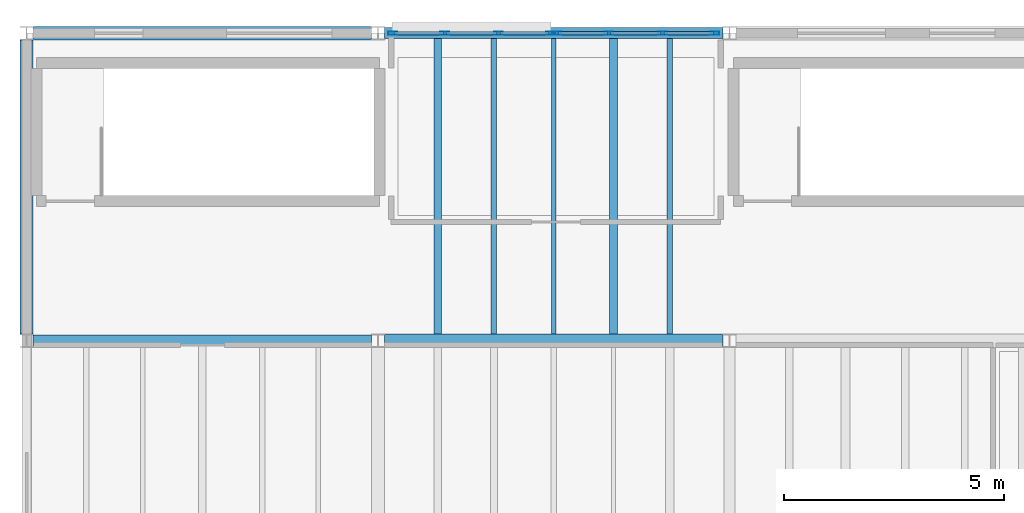
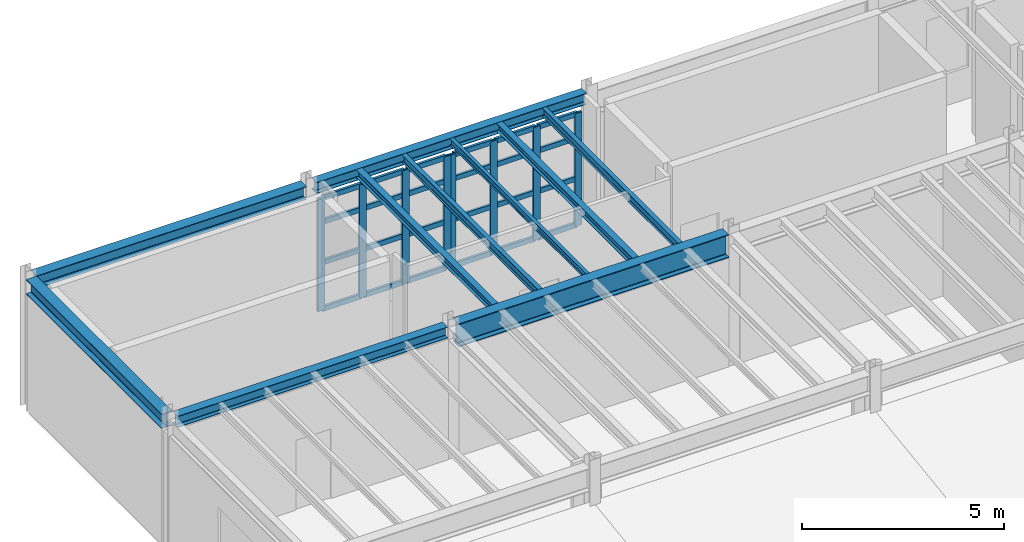
# One storey, part 13 of 77: 32 members, 10 beams, 2 elements without a shape of their own.
"""IFC4 building model written with IfcOpenShell, lengths in metres."""

from ifc_helpers import new_model, si_unit, direction, frame, origin, origin_2d, place, context, subcontext, project, spatial, hollow_rectangle, i_section, extrude, material, material_profile, profile_set, type_object, element, aggregate, save


model = new_model("IFC4")

# Units and contexts
model_context = context("Model", 3, precision=1e-05, world=origin(), true_north=direction((0.0, 1.0)))
body_context = subcontext(model_context, "Body", "Model", "MODEL_VIEW")
ifc_project = project(units=[si_unit("LENGTHUNIT", "METRE"), si_unit("AREAUNIT", "SQUARE_METRE"), si_unit("VOLUMEUNIT", "CUBIC_METRE"), si_unit("PLANEANGLEUNIT", "RADIAN"), si_unit("MASSUNIT", "GRAM", prefix="KILO"), si_unit("THERMODYNAMICTEMPERATUREUNIT", "KELVIN"), si_unit("POWERUNIT", "WATT")], contexts=[model_context])

# Site, building, storey
site_placement = place(None, origin())
site = spatial("IfcSite", under=ifc_project, at=site_placement, CompositionType="ELEMENT")
building_placement = place(site_placement, origin())
building = spatial("IfcBuilding", under=site, at=building_placement, Name="Zhenchuan Central Fire Station", CompositionType="ELEMENT")
storey_placement = place(building_placement, frame((0.0, 0.0, 10.050048828125)))
storey = spatial("IfcBuildingStorey", under=building, at=storey_placement, Name="L03", CompositionType="ELEMENT", Elevation=10.050048828125)

# Beams
ifc_material_1 = material(Name="Steel Q355B", Category="steel")
ifc_material_profile_1 = material_profile(ifc_material_1, i_section(OverallWidth=0.25, OverallDepth=0.340087890625, WebThickness=0.009033203125, FlangeThickness=0.013916015625, FilletRadius=0.01806640625, at=origin_2d()), Name="HM 340x250")
ifc_profile_set_1 = profile_set([ifc_material_profile_1], Name="Steel Q355B")
beam_type_1 = type_object("IfcBeamType", Name="BM-HM340", PredefinedType="BEAM", material=ifc_profile_set_1)
beam_1_placement = place(storey_placement, frame((0.14990234375, 49.5, 3.81005859375), z_axis=(1.0, 0.0, 0.0), x_axis=(0.0, 1.0, 0.0)))
element("IfcBeam", 1, at=beam_1_placement, inside=storey, type_object=beam_type_1, Name="L04 Girder EW 0372", PredefinedType="BEAM", context=body_context, shape_type="SweptSolid", body=[
    extrude(i_section(OverallWidth=0.25, OverallDepth=0.340087890625, WebThickness=0.009033203125, FlangeThickness=0.013916015625, FilletRadius=0.01806640625, at=origin_2d()), origin(), (0.0, 0.0, 1.0), 7.7001953125),
])
ifc_material_profile_2 = material_profile(ifc_material_1, i_section(OverallWidth=0.25, OverallDepth=0.340087890625, WebThickness=0.009033203125, FlangeThickness=0.013916015625, FilletRadius=0.01806640625, at=origin_2d()), Name="HM 340x250")
ifc_profile_set_2 = profile_set([ifc_material_profile_2], Name="Steel Q355B")
beam_type_2 = type_object("IfcBeamType", Name="BM-HM340-EXT", PredefinedType="BEAM", material=ifc_profile_set_2)
beam_2_placement = place(storey_placement, frame((8.14990234375, 56.5, 3.81005859375), z_axis=(1.0, 0.0, 0.0), x_axis=(0.0, 1.0, 0.0)))
element("IfcBeam", 2, at=beam_2_placement, inside=storey, type_object=beam_type_2, Name="L04 Girder EW 0383", PredefinedType="BEAM", context=body_context, shape_type="SweptSolid", body=[
    extrude(i_section(OverallWidth=0.25, OverallDepth=0.340087890625, WebThickness=0.009033203125, FlangeThickness=0.013916015625, FilletRadius=0.01806640625, at=origin_2d()), origin(), (0.0, 0.0, 1.0), 7.7001953125),
])
ifc_material_profile_3 = material_profile(ifc_material_1, i_section(OverallWidth=0.300048828125, OverallDepth=0.389892578125, WebThickness=0.010009765625, FlangeThickness=0.01611328125, FilletRadius=0.02001953125, at=origin_2d()), Name="HM 390x300")
ifc_profile_set_3 = profile_set([ifc_material_profile_3], Name="Steel Q355B")
beam_type_3 = type_object("IfcBeamType", Name="BM-HM390", PredefinedType="BEAM", material=ifc_profile_set_3)
beam_3_placement = place(storey_placement, frame((0.14990234375, 56.5, 3.784912109375), z_axis=(1.0, 0.0, 0.0), x_axis=(0.0, 1.0, 0.0)))
element("IfcBeam", 3, at=beam_3_placement, inside=storey, type_object=beam_type_3, Name="L04 Girder EW 0382", PredefinedType="BEAM", context=body_context, shape_type="SweptSolid", body=[
    extrude(i_section(OverallWidth=0.300048828125, OverallDepth=0.389892578125, WebThickness=0.010009765625, FlangeThickness=0.01611328125, FilletRadius=0.02001953125, at=origin_2d()), origin(), (0.0, 0.0, 1.0), 7.7001953125),
])
ifc_material_profile_4 = material_profile(ifc_material_1, i_section(OverallWidth=0.300048828125, OverallDepth=0.43994140625, WebThickness=0.010986328125, FlangeThickness=0.01806640625, FilletRadius=0.02197265625, at=origin_2d()), Name="HM 440x300")
ifc_profile_set_4 = profile_set([ifc_material_profile_4], Name="Steel Q355B")
beam_type_4 = type_object("IfcBeamType", Name="BM-HM440", PredefinedType="BEAM", material=ifc_profile_set_4)
beam_4_placement = place(storey_placement, frame((0.0, 49.64990234375, 3.760009765625), z_axis=(0.0, 1.0, 0.0), x_axis=(-1.0, 0.0, 0.0)))
element("IfcBeam", 4, at=beam_4_placement, inside=storey, type_object=beam_type_4, Name="L04 Girder NS 0392", PredefinedType="BEAM", context=body_context, shape_type="SweptSolid", body=[
    extrude(i_section(OverallWidth=0.300048828125, OverallDepth=0.43994140625, WebThickness=0.010986328125, FlangeThickness=0.01806640625, FilletRadius=0.02197265625, at=origin_2d()), origin(), (0.0, 0.0, 1.0), 6.7001953125),
])
ifc_material_profile_5 = material_profile(ifc_material_1, i_section(OverallWidth=0.300048828125, OverallDepth=0.699951171875, WebThickness=0.012939453125, FlangeThickness=0.02392578125, FilletRadius=0.02392578125, at=origin_2d()), Name="HN 700x300")
ifc_profile_set_5 = profile_set([ifc_material_profile_5], Name="Steel Q355B")
beam_type_5 = type_object("IfcBeamType", Name="BM-HN700", PredefinedType="BEAM", material=ifc_profile_set_5)
beam_5_placement = place(storey_placement, frame((8.14990234375, 49.5, 3.6298828125), z_axis=(1.0, 0.0, 0.0), x_axis=(0.0, 1.0, 0.0)))
element("IfcBeam", 5, at=beam_5_placement, inside=storey, type_object=beam_type_5, Name="L04 Girder EW 0373", PredefinedType="BEAM", context=body_context, shape_type="SweptSolid", body=[
    extrude(i_section(OverallWidth=0.300048828125, OverallDepth=0.699951171875, WebThickness=0.012939453125, FlangeThickness=0.02392578125, FilletRadius=0.02392578125, at=origin_2d()), origin(), (0.0, 0.0, 1.0), 7.7001953125),
])

# Curtain wall, members
ifc_material_2 = material(Name="Anodised aluminium and low-E glazing", Category="aluminium")
curtain_wall_type_1 = type_object("IfcCurtainWallType", Name="CW-MOD-08", PredefinedType="USERDEFINED", material=ifc_material_2)
curtain_wall_1_placement = place(storey_placement, origin())
curtain_wall_1 = element("IfcCurtainWall", 6, at=curtain_wall_1_placement, inside=storey, type_object=curtain_wall_type_1, Name="L03 Unitised Curtain Wall 066", ObjectType="UNITISED GLAZING", PredefinedType="USERDEFINED")
ifc_material_3 = material(Name="Anodised aluminium EN AW-6063", Category="aluminium")
ifc_material_profile_6 = material_profile(ifc_material_3, hollow_rectangle(XDim=0.074951171875, YDim=0.199951171875, WallThickness=0.0048828125, at=origin_2d()), Name="ALU-M 200x75")
ifc_profile_set_6 = profile_set([ifc_material_profile_6], Name="Anodised aluminium EN AW-6063")
member_type_1 = type_object("IfcMemberType", Name="CW-MUL160", PredefinedType="MULLION", material=ifc_profile_set_6)
member_1_placement = place(storey_placement, frame((8.33251953125, 56.5, -0.004150390625), z_axis=(0.0, 0.0, 1.0), x_axis=(0.0, 1.0, 0.0)))
member_1 = element("IfcMember", 7, at=member_1_placement, type_object=member_type_1, Name="CW-08 mullion 1", PredefinedType="MULLION", context=body_context, shape_type="SweptSolid", body=[
    extrude(hollow_rectangle(XDim=0.074951171875, YDim=0.199951171875, WallThickness=0.0048828125, at=origin_2d()), origin(), (0.0, 0.0, 1.0), 3.404052734375),
])
member_2_placement = place(storey_placement, frame((9.520751953125, 56.5, -0.004150390625), z_axis=(0.0, 0.0, 1.0), x_axis=(0.0, 1.0, 0.0)))
member_2 = element("IfcMember", 8, at=member_2_placement, type_object=member_type_1, Name="CW-08 mullion 2", PredefinedType="MULLION", context=body_context, shape_type="SweptSolid", body=[
    extrude(hollow_rectangle(XDim=0.074951171875, YDim=0.199951171875, WallThickness=0.0048828125, at=origin_2d()), origin(), (0.0, 0.0, 1.0), 3.404052734375),
])
member_3_placement = place(storey_placement, frame((10.741455078125, 56.5, -0.004150390625), z_axis=(0.0, 0.0, 1.0), x_axis=(0.0, 1.0, 0.0)))
member_3 = element("IfcMember", 9, at=member_3_placement, type_object=member_type_1, Name="CW-08 mullion 3", PredefinedType="MULLION", context=body_context, shape_type="SweptSolid", body=[
    extrude(hollow_rectangle(XDim=0.074951171875, YDim=0.199951171875, WallThickness=0.0048828125, at=origin_2d()), origin(), (0.0, 0.0, 1.0), 3.404052734375),
])
member_4_placement = place(storey_placement, frame((11.929443359375, 56.5, -0.004150390625), z_axis=(0.0, 0.0, 1.0), x_axis=(0.0, 1.0, 0.0)))
member_4 = element("IfcMember", 10, at=member_4_placement, type_object=member_type_1, Name="CW-08 mullion 4", PredefinedType="MULLION", context=body_context, shape_type="SweptSolid", body=[
    extrude(hollow_rectangle(XDim=0.074951171875, YDim=0.199951171875, WallThickness=0.0048828125, at=origin_2d()), origin(), (0.0, 0.0, 1.0), 3.404052734375),
])

curtain_wall_type_2 = type_object("IfcCurtainWallType", Name="CW-MOD-09", PredefinedType="USERDEFINED", material=ifc_material_2)
curtain_wall_2_placement = place(storey_placement, origin())
curtain_wall_2 = element("IfcCurtainWall", 11, at=curtain_wall_2_placement, inside=storey, type_object=curtain_wall_type_2, Name="L03 Unitised Curtain Wall 067", ObjectType="UNITISED GLAZING", PredefinedType="USERDEFINED")
member_5_placement = place(storey_placement, frame((12.070556640625, 56.5, -0.004150390625), z_axis=(0.0, 0.0, 1.0), x_axis=(0.0, 1.0, 0.0)))
member_5 = element("IfcMember", 12, at=member_5_placement, type_object=member_type_1, Name="CW-09 mullion 1", PredefinedType="MULLION", context=body_context, shape_type="SweptSolid", body=[
    extrude(hollow_rectangle(XDim=0.074951171875, YDim=0.199951171875, WallThickness=0.0048828125, at=origin_2d()), origin(), (0.0, 0.0, 1.0), 3.404052734375),
])
member_6_placement = place(storey_placement, frame((13.258544921875, 56.5, -0.004150390625), z_axis=(0.0, 0.0, 1.0), x_axis=(0.0, 1.0, 0.0)))
member_6 = element("IfcMember", 13, at=member_6_placement, type_object=member_type_1, Name="CW-09 mullion 2", PredefinedType="MULLION", context=body_context, shape_type="SweptSolid", body=[
    extrude(hollow_rectangle(XDim=0.074951171875, YDim=0.199951171875, WallThickness=0.0048828125, at=origin_2d()), origin(), (0.0, 0.0, 1.0), 3.404052734375),
])
member_7_placement = place(storey_placement, frame((14.479248046875, 56.5, -0.004150390625), z_axis=(0.0, 0.0, 1.0), x_axis=(0.0, 1.0, 0.0)))
member_7 = element("IfcMember", 14, at=member_7_placement, type_object=member_type_1, Name="CW-09 mullion 3", PredefinedType="MULLION", context=body_context, shape_type="SweptSolid", body=[
    extrude(hollow_rectangle(XDim=0.074951171875, YDim=0.199951171875, WallThickness=0.0048828125, at=origin_2d()), origin(), (0.0, 0.0, 1.0), 3.404052734375),
])
member_8_placement = place(storey_placement, frame((15.66748046875, 56.5, -0.004150390625), z_axis=(0.0, 0.0, 1.0), x_axis=(0.0, 1.0, 0.0)))
member_8 = element("IfcMember", 15, at=member_8_placement, type_object=member_type_1, Name="CW-09 mullion 4", PredefinedType="MULLION", context=body_context, shape_type="SweptSolid", body=[
    extrude(hollow_rectangle(XDim=0.074951171875, YDim=0.199951171875, WallThickness=0.0048828125, at=origin_2d()), origin(), (0.0, 0.0, 1.0), 3.404052734375),
])

# Member
ifc_material_profile_7 = material_profile(ifc_material_3, hollow_rectangle(XDim=0.074951171875, YDim=0.14990234375, WallThickness=0.0048828125, at=origin_2d()), Name="ALU-T 150x75")
ifc_profile_set_7 = profile_set([ifc_material_profile_7], Name="Anodised aluminium EN AW-6063")
member_type_2 = type_object("IfcMemberType", Name="CW-TRN130", PredefinedType="NOTDEFINED", material=ifc_profile_set_7)
member_9_placement = place(storey_placement, frame((8.364990234375, 56.5, 0.028564453125), z_axis=(1.0, 0.0, 0.0), x_axis=(0.0, 1.0, 0.0)))
member_9 = element("IfcMember", 16, at=member_9_placement, type_object=member_type_2, Name="CW-08 transom 1.1", ObjectType="TRANSOM", PredefinedType="USERDEFINED", context=body_context, shape_type="SweptSolid", body=[
    extrude(hollow_rectangle(XDim=0.074951171875, YDim=0.14990234375, WallThickness=0.0048828125, at=origin_2d()), origin(), (0.0, 0.0, 1.0), 1.123291015625),
])

member_10_placement = place(storey_placement, frame((8.364990234375, 56.5, 1.427978515625), z_axis=(1.0, 0.0, 0.0), x_axis=(0.0, 1.0, 0.0)))
member_10 = element("IfcMember", 17, at=member_10_placement, type_object=member_type_2, Name="CW-08 transom 1.2", ObjectType="TRANSOM", PredefinedType="USERDEFINED", context=body_context, shape_type="SweptSolid", body=[
    extrude(hollow_rectangle(XDim=0.074951171875, YDim=0.14990234375, WallThickness=0.0048828125, at=origin_2d()), origin(), (0.0, 0.0, 1.0), 1.123291015625),
])

member_11_placement = place(storey_placement, frame((8.364990234375, 56.5, 2.65185546875), z_axis=(1.0, 0.0, 0.0), x_axis=(0.0, 1.0, 0.0)))
member_11 = element("IfcMember", 18, at=member_11_placement, type_object=member_type_2, Name="CW-08 transom 1.3", ObjectType="TRANSOM", PredefinedType="USERDEFINED", context=body_context, shape_type="SweptSolid", body=[
    extrude(hollow_rectangle(XDim=0.074951171875, YDim=0.14990234375, WallThickness=0.0048828125, at=origin_2d()), origin(), (0.0, 0.0, 1.0), 1.123291015625),
])

member_12_placement = place(storey_placement, frame((8.364990234375, 56.5, 3.367431640625), z_axis=(1.0, 0.0, 0.0), x_axis=(0.0, 1.0, 0.0)))
member_12 = element("IfcMember", 19, at=member_12_placement, type_object=member_type_2, Name="CW-08 transom 1.4", ObjectType="TRANSOM", PredefinedType="USERDEFINED", context=body_context, shape_type="SweptSolid", body=[
    extrude(hollow_rectangle(XDim=0.074951171875, YDim=0.14990234375, WallThickness=0.0048828125, at=origin_2d()), origin(), (0.0, 0.0, 1.0), 1.123291015625),
])

member_13_placement = place(storey_placement, frame((9.55322265625, 56.5, 0.028564453125), z_axis=(1.0, 0.0, 0.0), x_axis=(0.0, 1.0, 0.0)))
member_13 = element("IfcMember", 20, at=member_13_placement, type_object=member_type_2, Name="CW-08 transom 2.1", ObjectType="TRANSOM", PredefinedType="USERDEFINED", context=body_context, shape_type="SweptSolid", body=[
    extrude(hollow_rectangle(XDim=0.074951171875, YDim=0.14990234375, WallThickness=0.0048828125, at=origin_2d()), origin(), (0.0, 0.0, 1.0), 1.155517578125),
])

member_14_placement = place(storey_placement, frame((9.55322265625, 56.5, 1.427978515625), z_axis=(1.0, 0.0, 0.0), x_axis=(0.0, 1.0, 0.0)))
member_14 = element("IfcMember", 21, at=member_14_placement, type_object=member_type_2, Name="CW-08 transom 2.2", ObjectType="TRANSOM", PredefinedType="USERDEFINED", context=body_context, shape_type="SweptSolid", body=[
    extrude(hollow_rectangle(XDim=0.074951171875, YDim=0.14990234375, WallThickness=0.0048828125, at=origin_2d()), origin(), (0.0, 0.0, 1.0), 1.155517578125),
])

member_15_placement = place(storey_placement, frame((9.55322265625, 56.5, 2.65185546875), z_axis=(1.0, 0.0, 0.0), x_axis=(0.0, 1.0, 0.0)))
member_15 = element("IfcMember", 22, at=member_15_placement, type_object=member_type_2, Name="CW-08 transom 2.3", ObjectType="TRANSOM", PredefinedType="USERDEFINED", context=body_context, shape_type="SweptSolid", body=[
    extrude(hollow_rectangle(XDim=0.074951171875, YDim=0.14990234375, WallThickness=0.0048828125, at=origin_2d()), origin(), (0.0, 0.0, 1.0), 1.155517578125),
])

member_16_placement = place(storey_placement, frame((9.55322265625, 56.5, 3.367431640625), z_axis=(1.0, 0.0, 0.0), x_axis=(0.0, 1.0, 0.0)))
member_16 = element("IfcMember", 23, at=member_16_placement, type_object=member_type_2, Name="CW-08 transom 2.4", ObjectType="TRANSOM", PredefinedType="USERDEFINED", context=body_context, shape_type="SweptSolid", body=[
    extrude(hollow_rectangle(XDim=0.074951171875, YDim=0.14990234375, WallThickness=0.0048828125, at=origin_2d()), origin(), (0.0, 0.0, 1.0), 1.155517578125),
])

member_17_placement = place(storey_placement, frame((10.77392578125, 56.5, 0.028564453125), z_axis=(1.0, 0.0, 0.0), x_axis=(0.0, 1.0, 0.0)))
member_17 = element("IfcMember", 24, at=member_17_placement, type_object=member_type_2, Name="CW-08 transom 3.1", ObjectType="TRANSOM", PredefinedType="USERDEFINED", context=body_context, shape_type="SweptSolid", body=[
    extrude(hollow_rectangle(XDim=0.074951171875, YDim=0.14990234375, WallThickness=0.0048828125, at=origin_2d()), origin(), (0.0, 0.0, 1.0), 1.123046875),
])

member_18_placement = place(storey_placement, frame((10.77392578125, 56.5, 1.427978515625), z_axis=(1.0, 0.0, 0.0), x_axis=(0.0, 1.0, 0.0)))
member_18 = element("IfcMember", 25, at=member_18_placement, type_object=member_type_2, Name="CW-08 transom 3.2", ObjectType="TRANSOM", PredefinedType="USERDEFINED", context=body_context, shape_type="SweptSolid", body=[
    extrude(hollow_rectangle(XDim=0.074951171875, YDim=0.14990234375, WallThickness=0.0048828125, at=origin_2d()), origin(), (0.0, 0.0, 1.0), 1.123046875),
])

member_19_placement = place(storey_placement, frame((10.77392578125, 56.5, 2.65185546875), z_axis=(1.0, 0.0, 0.0), x_axis=(0.0, 1.0, 0.0)))
member_19 = element("IfcMember", 26, at=member_19_placement, type_object=member_type_2, Name="CW-08 transom 3.3", ObjectType="TRANSOM", PredefinedType="USERDEFINED", context=body_context, shape_type="SweptSolid", body=[
    extrude(hollow_rectangle(XDim=0.074951171875, YDim=0.14990234375, WallThickness=0.0048828125, at=origin_2d()), origin(), (0.0, 0.0, 1.0), 1.123046875),
])

member_20_placement = place(storey_placement, frame((10.77392578125, 56.5, 3.367431640625), z_axis=(1.0, 0.0, 0.0), x_axis=(0.0, 1.0, 0.0)))
member_20 = element("IfcMember", 27, at=member_20_placement, type_object=member_type_2, Name="CW-08 transom 3.4", ObjectType="TRANSOM", PredefinedType="USERDEFINED", context=body_context, shape_type="SweptSolid", body=[
    extrude(hollow_rectangle(XDim=0.074951171875, YDim=0.14990234375, WallThickness=0.0048828125, at=origin_2d()), origin(), (0.0, 0.0, 1.0), 1.123046875),
])

aggregate(curtain_wall_1, [member_1, member_2, member_3, member_4, member_9, member_10, member_11, member_12, member_13, member_14, member_15, member_16, member_17, member_18, member_19, member_20])

member_21_placement = place(storey_placement, frame((12.10302734375, 56.5, 0.028564453125), z_axis=(1.0, 0.0, 0.0), x_axis=(0.0, 1.0, 0.0)))
member_21 = element("IfcMember", 28, at=member_21_placement, type_object=member_type_2, Name="CW-09 transom 1.1", ObjectType="TRANSOM", PredefinedType="USERDEFINED", context=body_context, shape_type="SweptSolid", body=[
    extrude(hollow_rectangle(XDim=0.074951171875, YDim=0.14990234375, WallThickness=0.0048828125, at=origin_2d()), origin(), (0.0, 0.0, 1.0), 1.123046875),
])

member_22_placement = place(storey_placement, frame((12.10302734375, 56.5, 1.427978515625), z_axis=(1.0, 0.0, 0.0), x_axis=(0.0, 1.0, 0.0)))
member_22 = element("IfcMember", 29, at=member_22_placement, type_object=member_type_2, Name="CW-09 transom 1.2", ObjectType="TRANSOM", PredefinedType="USERDEFINED", context=body_context, shape_type="SweptSolid", body=[
    extrude(hollow_rectangle(XDim=0.074951171875, YDim=0.14990234375, WallThickness=0.0048828125, at=origin_2d()), origin(), (0.0, 0.0, 1.0), 1.123046875),
])

member_23_placement = place(storey_placement, frame((12.10302734375, 56.5, 2.65185546875), z_axis=(1.0, 0.0, 0.0), x_axis=(0.0, 1.0, 0.0)))
member_23 = element("IfcMember", 30, at=member_23_placement, type_object=member_type_2, Name="CW-09 transom 1.3", ObjectType="TRANSOM", PredefinedType="USERDEFINED", context=body_context, shape_type="SweptSolid", body=[
    extrude(hollow_rectangle(XDim=0.074951171875, YDim=0.14990234375, WallThickness=0.0048828125, at=origin_2d()), origin(), (0.0, 0.0, 1.0), 1.123046875),
])

member_24_placement = place(storey_placement, frame((12.10302734375, 56.5, 3.367431640625), z_axis=(1.0, 0.0, 0.0), x_axis=(0.0, 1.0, 0.0)))
member_24 = element("IfcMember", 31, at=member_24_placement, type_object=member_type_2, Name="CW-09 transom 1.4", ObjectType="TRANSOM", PredefinedType="USERDEFINED", context=body_context, shape_type="SweptSolid", body=[
    extrude(hollow_rectangle(XDim=0.074951171875, YDim=0.14990234375, WallThickness=0.0048828125, at=origin_2d()), origin(), (0.0, 0.0, 1.0), 1.123046875),
])

member_25_placement = place(storey_placement, frame((13.291259765625, 56.5, 0.028564453125), z_axis=(1.0, 0.0, 0.0), x_axis=(0.0, 1.0, 0.0)))
member_25 = element("IfcMember", 32, at=member_25_placement, type_object=member_type_2, Name="CW-09 transom 2.1", ObjectType="TRANSOM", PredefinedType="USERDEFINED", context=body_context, shape_type="SweptSolid", body=[
    extrude(hollow_rectangle(XDim=0.074951171875, YDim=0.14990234375, WallThickness=0.0048828125, at=origin_2d()), origin(), (0.0, 0.0, 1.0), 1.155517578125),
])

member_26_placement = place(storey_placement, frame((13.291259765625, 56.5, 1.427978515625), z_axis=(1.0, 0.0, 0.0), x_axis=(0.0, 1.0, 0.0)))
member_26 = element("IfcMember", 33, at=member_26_placement, type_object=member_type_2, Name="CW-09 transom 2.2", ObjectType="TRANSOM", PredefinedType="USERDEFINED", context=body_context, shape_type="SweptSolid", body=[
    extrude(hollow_rectangle(XDim=0.074951171875, YDim=0.14990234375, WallThickness=0.0048828125, at=origin_2d()), origin(), (0.0, 0.0, 1.0), 1.155517578125),
])

member_27_placement = place(storey_placement, frame((13.291259765625, 56.5, 2.65185546875), z_axis=(1.0, 0.0, 0.0), x_axis=(0.0, 1.0, 0.0)))
member_27 = element("IfcMember", 34, at=member_27_placement, type_object=member_type_2, Name="CW-09 transom 2.3", ObjectType="TRANSOM", PredefinedType="USERDEFINED", context=body_context, shape_type="SweptSolid", body=[
    extrude(hollow_rectangle(XDim=0.074951171875, YDim=0.14990234375, WallThickness=0.0048828125, at=origin_2d()), origin(), (0.0, 0.0, 1.0), 1.155517578125),
])

member_28_placement = place(storey_placement, frame((13.291259765625, 56.5, 3.367431640625), z_axis=(1.0, 0.0, 0.0), x_axis=(0.0, 1.0, 0.0)))
member_28 = element("IfcMember", 35, at=member_28_placement, type_object=member_type_2, Name="CW-09 transom 2.4", ObjectType="TRANSOM", PredefinedType="USERDEFINED", context=body_context, shape_type="SweptSolid", body=[
    extrude(hollow_rectangle(XDim=0.074951171875, YDim=0.14990234375, WallThickness=0.0048828125, at=origin_2d()), origin(), (0.0, 0.0, 1.0), 1.155517578125),
])

member_29_placement = place(storey_placement, frame((14.51171875, 56.5, 0.028564453125), z_axis=(1.0, 0.0, 0.0), x_axis=(0.0, 1.0, 0.0)))
member_29 = element("IfcMember", 36, at=member_29_placement, type_object=member_type_2, Name="CW-09 transom 3.1", ObjectType="TRANSOM", PredefinedType="USERDEFINED", context=body_context, shape_type="SweptSolid", body=[
    extrude(hollow_rectangle(XDim=0.074951171875, YDim=0.14990234375, WallThickness=0.0048828125, at=origin_2d()), origin(), (0.0, 0.0, 1.0), 1.123291015625),
])

member_30_placement = place(storey_placement, frame((14.51171875, 56.5, 1.427978515625), z_axis=(1.0, 0.0, 0.0), x_axis=(0.0, 1.0, 0.0)))
member_30 = element("IfcMember", 37, at=member_30_placement, type_object=member_type_2, Name="CW-09 transom 3.2", ObjectType="TRANSOM", PredefinedType="USERDEFINED", context=body_context, shape_type="SweptSolid", body=[
    extrude(hollow_rectangle(XDim=0.074951171875, YDim=0.14990234375, WallThickness=0.0048828125, at=origin_2d()), origin(), (0.0, 0.0, 1.0), 1.123291015625),
])

member_31_placement = place(storey_placement, frame((14.51171875, 56.5, 2.65185546875), z_axis=(1.0, 0.0, 0.0), x_axis=(0.0, 1.0, 0.0)))
member_31 = element("IfcMember", 38, at=member_31_placement, type_object=member_type_2, Name="CW-09 transom 3.3", ObjectType="TRANSOM", PredefinedType="USERDEFINED", context=body_context, shape_type="SweptSolid", body=[
    extrude(hollow_rectangle(XDim=0.074951171875, YDim=0.14990234375, WallThickness=0.0048828125, at=origin_2d()), origin(), (0.0, 0.0, 1.0), 1.123291015625),
])

member_32_placement = place(storey_placement, frame((14.51171875, 56.5, 3.367431640625), z_axis=(1.0, 0.0, 0.0), x_axis=(0.0, 1.0, 0.0)))
member_32 = element("IfcMember", 39, at=member_32_placement, type_object=member_type_2, Name="CW-09 transom 3.4", ObjectType="TRANSOM", PredefinedType="USERDEFINED", context=body_context, shape_type="SweptSolid", body=[
    extrude(hollow_rectangle(XDim=0.074951171875, YDim=0.14990234375, WallThickness=0.0048828125, at=origin_2d()), origin(), (0.0, 0.0, 1.0), 1.123291015625),
])

aggregate(curtain_wall_2, [member_5, member_6, member_7, member_8, member_21, member_22, member_23, member_24, member_25, member_26, member_27, member_28, member_29, member_30, member_31, member_32])

# Beams
ifc_material_profile_8 = material_profile(ifc_material_1, i_section(OverallWidth=0.175048828125, OverallDepth=0.243896484375, WebThickness=0.007080078125, FlangeThickness=0.010986328125, FilletRadius=0.012939453125, at=origin_2d()), Name="HM 244x175")
ifc_profile_set_8 = profile_set([ifc_material_profile_8], Name="Steel Q355B")
beam_type_6 = type_object("IfcBeamType", Name="JS-HM244", PredefinedType="JOIST", material=ifc_profile_set_8)
for number, where, z_axis, x_axis, name in (
    (40, (9.360107421875, 49.64697265625, 3.85791015625), (0.0, 1.0, 0.0), (-1.0, 0.0, 0.0), "L04 Secondary Joist 0684"),
    (41, (13.360107421875, 49.64697265625, 3.85791015625), (0.0, 1.0, 0.0), (-1.0, 0.0, 0.0), "L04 Secondary Joist 0687"),
):
    element("IfcBeam", number, at=place(storey_placement, frame(where, z_axis=z_axis, x_axis=x_axis)), inside=storey, type_object=beam_type_6, Name=name, PredefinedType="JOIST", context=body_context, shape_type="SweptSolid", body=[
        extrude(i_section(OverallWidth=0.175048828125, OverallDepth=0.243896484375, WebThickness=0.007080078125, FlangeThickness=0.010986328125, FilletRadius=0.012939453125, at=origin_2d()), origin(), (0.0, 0.0, 1.0), 6.73095703125),
    ])
ifc_material_profile_9 = material_profile(ifc_material_1, i_section(OverallWidth=0.10009765625, OverallDepth=0.199951171875, WebThickness=0.005615234375, FlangeThickness=0.008056640625, FilletRadius=0.010986328125, at=origin_2d()), Name="HN 200x100")
ifc_profile_set_9 = profile_set([ifc_material_profile_9], Name="Steel Q355B")
beam_type_7 = type_object("IfcBeamType", Name="JS-HN200", PredefinedType="JOIST", material=ifc_profile_set_9)
beam_6_placement = place(storey_placement, frame((12.0, 49.64697265625, 3.8798828125), z_axis=(0.0, 1.0, 0.0), x_axis=(-1.0, 0.0, 0.0)))
element("IfcBeam", 42, at=beam_6_placement, inside=storey, type_object=beam_type_7, Name="L04 Secondary Joist 0686", PredefinedType="JOIST", context=body_context, shape_type="SweptSolid", body=[
    extrude(i_section(OverallWidth=0.10009765625, OverallDepth=0.199951171875, WebThickness=0.005615234375, FlangeThickness=0.008056640625, FilletRadius=0.010986328125, at=origin_2d()), origin(), (0.0, 0.0, 1.0), 6.73095703125),
])
ifc_material_profile_10 = material_profile(ifc_material_1, i_section(OverallWidth=0.125, OverallDepth=0.25, WebThickness=0.006103515625, FlangeThickness=0.009033203125, FilletRadius=0.011962890625, at=origin_2d()), Name="HN 250x125")
ifc_profile_set_10 = profile_set([ifc_material_profile_10], Name="Steel Q355B")
beam_type_8 = type_object("IfcBeamType", Name="JS-HN250", PredefinedType="JOIST", material=ifc_profile_set_10)
for number, where, z_axis, x_axis, name in (
    (43, (10.639892578125, 49.64697265625, 3.85498046875), (0.0, 1.0, 0.0), (-1.0, 0.0, 0.0), "L04 Secondary Joist 0685"),
    (44, (14.639892578125, 49.64697265625, 3.85498046875), (0.0, 1.0, 0.0), (-1.0, 0.0, 0.0), "L04 Secondary Joist 0688"),
):
    element("IfcBeam", number, at=place(storey_placement, frame(where, z_axis=z_axis, x_axis=x_axis)), inside=storey, type_object=beam_type_8, Name=name, PredefinedType="JOIST", context=body_context, shape_type="SweptSolid", body=[
        extrude(i_section(OverallWidth=0.125, OverallDepth=0.25, WebThickness=0.006103515625, FlangeThickness=0.009033203125, FilletRadius=0.011962890625, at=origin_2d()), origin(), (0.0, 0.0, 1.0), 6.73095703125),
    ])

save(model, "model.ifc")
